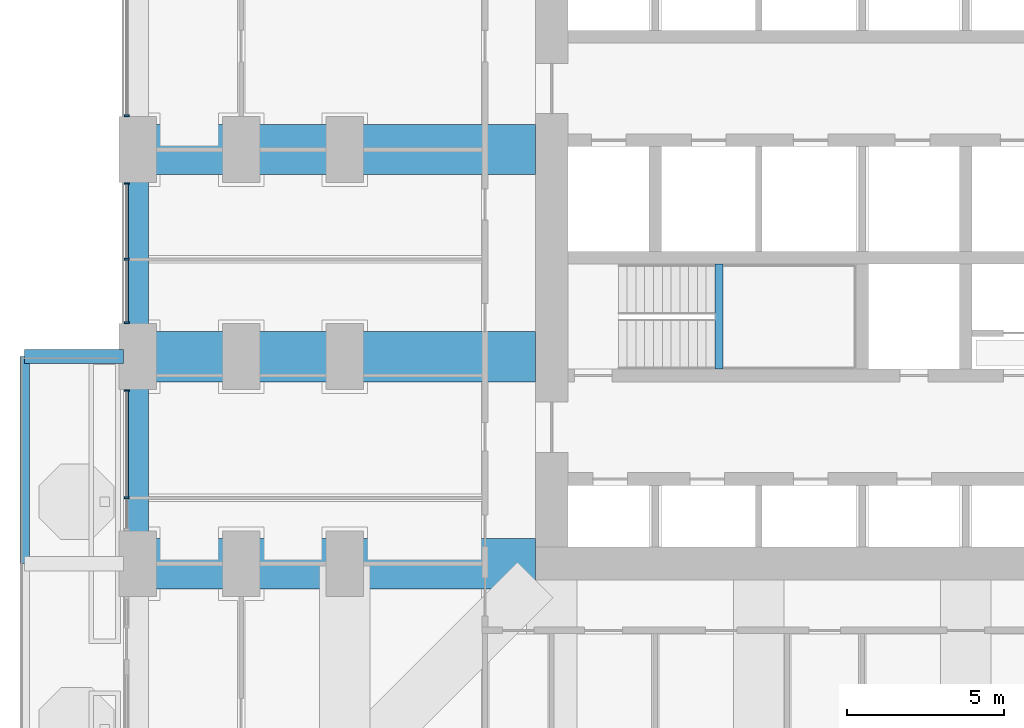
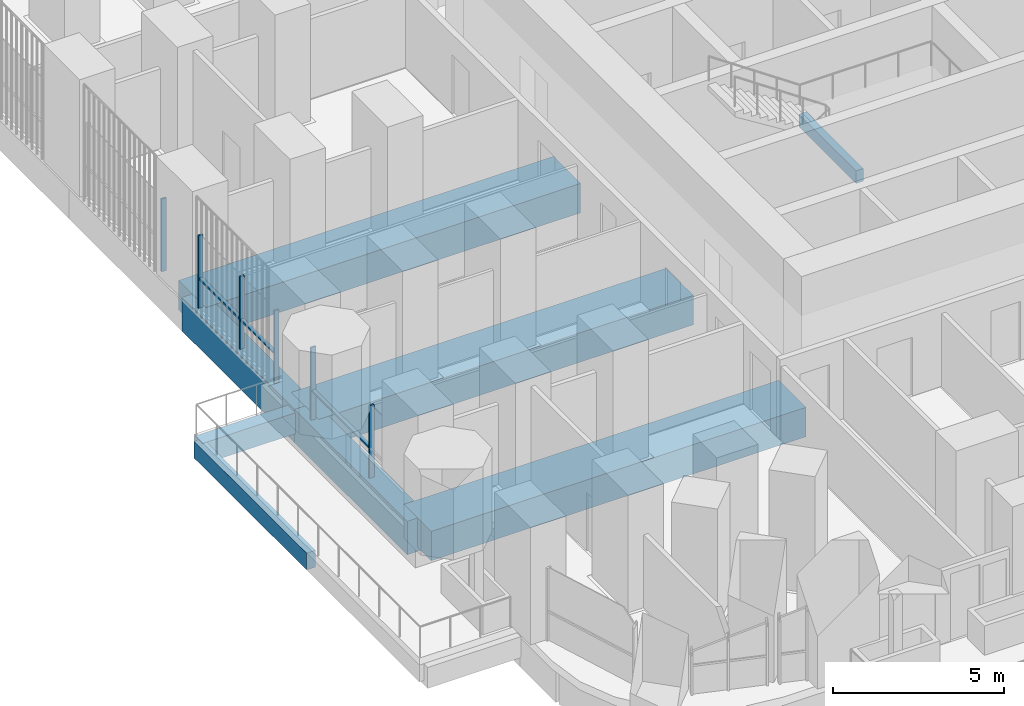
# One storey, part 4 of 27: 9 members, 8 beams, 3 elements without a shape of their own.
"""IFC4 building model written with IfcOpenShell, lengths in metres."""

from ifc_helpers import new_model, si_unit, direction, frame, origin, origin_2d, place, context, subcontext, project, spatial, rectangle, extrude, material, material_profile, profile_set, type_object, element, aggregate, save


model = new_model("IFC4")

# Units and contexts
model_context = context("Model", 3, precision=1e-05, world=origin(), true_north=direction((0.0, 1.0)))
body_context = subcontext(model_context, "Body", "Model", "MODEL_VIEW")
ifc_project = project(units=[si_unit("LENGTHUNIT", "METRE"), si_unit("AREAUNIT", "SQUARE_METRE"), si_unit("VOLUMEUNIT", "CUBIC_METRE"), si_unit("PLANEANGLEUNIT", "RADIAN"), si_unit("MASSUNIT", "GRAM", prefix="KILO")], contexts=[model_context])

# Site, building, storey
site_placement = place(None, origin())
site = spatial("IfcSite", under=ifc_project, at=site_placement, CompositionType="ELEMENT")
building_placement = place(site_placement, origin())
building = spatial("IfcBuilding", under=site, at=building_placement, Name="Cobogo Forest Laboratory Tower", CompositionType="ELEMENT")
storey_placement = place(building_placement, frame((0.0, 0.0, 63.300048828125)))
storey = spatial("IfcBuildingStorey", under=building, at=storey_placement, Name="L14", CompositionType="ELEMENT", Elevation=63.300048828125)

# Beams
ifc_material_1 = material(Name="Concrete HA-40 (C40/50)", Category="concrete")
ifc_material_profile_1 = material_profile(ifc_material_1, rectangle(XDim=0.449951171875, YDim=0.75, at=origin_2d()), Name="RC 450x750")
ifc_profile_set_1 = profile_set([ifc_material_profile_1], Name="Concrete HA-40 (C40/50)")
beam_type_1 = type_object("IfcBeamType", Name="Balcony cantilever beam 450x750", PredefinedType="BEAM", material=ifc_profile_set_1)
beam_1_placement = place(storey_placement, frame((-0.449951171875, 19.800048828125, -0.625), z_axis=(-1.0, 0.0, 0.0), x_axis=(0.0, -1.0, 0.0)))
element("IfcBeam", 1, at=beam_1_placement, inside=storey, type_object=beam_type_1, Name="CB1 BAL-W1-C3 L14", PredefinedType="BEAM", context=body_context, shape_type="SweptSolid", body=[
    extrude(rectangle(XDim=0.449951171875, YDim=0.75, at=origin_2d()), origin(), (0.0, 0.0, 1.0), 3.150146484375),
])
ifc_material_profile_2 = material_profile(ifc_material_1, rectangle(XDim=0.300048828125, YDim=0.60009765625, at=origin_2d()), Name="RC 300x600")
ifc_profile_set_2 = profile_set([ifc_material_profile_2], Name="Concrete HA-40 (C40/50)")
beam_type_2 = type_object("IfcBeamType", Name="Balcony edge beam 300x600", PredefinedType="BEAM", material=ifc_profile_set_2)
beam_2_placement = place(storey_placement, frame((-3.60009765625, 13.199951171875, -0.550048828125), z_axis=(0.0, 1.0, 0.0), x_axis=(-1.0, 0.0, 0.0)))
element("IfcBeam", 2, at=beam_2_placement, inside=storey, type_object=beam_type_2, Name="BB1 BAL-W1-T2 L14", PredefinedType="BEAM", context=body_context, shape_type="SweptSolid", body=[
    extrude(rectangle(XDim=0.300048828125, YDim=0.60009765625, at=origin_2d()), origin(), (0.0, 0.0, 1.0), 6.60009765625),
])
ifc_material_profile_3 = material_profile(ifc_material_1, rectangle(XDim=0.25, YDim=0.449951171875, at=origin_2d()), Name="RC 250x450")
ifc_profile_set_3 = profile_set([ifc_material_profile_3], Name="Concrete HA-40 (C40/50)")
beam_type_3 = type_object("IfcBeamType", Name="LB1 landing beam 250x450", PredefinedType="BEAM", material=ifc_profile_set_3)
beam_3_placement = place(storey_placement, frame((18.530029296875, 19.39990234375, 1.675048828125), z_axis=(0.0, 1.0, 0.0), x_axis=(-1.0, 0.0, 0.0)))
element("IfcBeam", 3, at=beam_3_placement, inside=storey, type_object=beam_type_3, Name="Landing beam ST1 L14", PredefinedType="BEAM", context=body_context, shape_type="SweptSolid", body=[
    extrude(rectangle(XDim=0.25, YDim=0.449951171875, at=origin_2d()), origin(), (0.0, 0.0, 1.0), 3.35009765625),
])
ifc_material_2 = material(Name="Concrete HA-50 (C50/60)", Category="concrete")
ifc_material_profile_4 = material_profile(ifc_material_2, rectangle(XDim=1.60009765625, YDim=1.050048828125, at=origin_2d()), Name="RC 1600x1050")
ifc_profile_set_4 = profile_set([ifc_material_profile_4], Name="Concrete HA-50 (C50/60)")
beam_type_4 = type_object("IfcBeamType", Name="Laboratory floor wide beam 1600x1050", PredefinedType="BEAM", material=ifc_profile_set_4)
for number, where, z_axis, x_axis, name in (
    (4, (12.675048828125, 13.199951171875, -0.824951171875), (-1.0, 0.0, 0.0), (0.0, -1.0, 0.0), "RB8 R-C-W L14"),
    (5, (12.675048828125, 19.800048828125, -0.824951171875), (-1.0, 0.0, 0.0), (0.0, -1.0, 0.0), "RB8 R-D-W L14"),
    (6, (12.675048828125, 26.39990234375, -0.824951171875), (-1.0, 0.0, 0.0), (0.0, -1.0, 0.0), "RB8 R-E-W L14"),
):
    element("IfcBeam", number, at=place(storey_placement, frame(where, z_axis=z_axis, x_axis=x_axis)), inside=storey, type_object=beam_type_4, Name=name, PredefinedType="BEAM", context=body_context, shape_type="SweptSolid", body=[
        extrude(rectangle(XDim=1.60009765625, YDim=1.050048828125, at=origin_2d()), origin(), (0.0, 0.0, 1.0), 12.675048828125),
    ])

# Curtain wall, member
ifc_material_3 = material(Name="Aluminium curtain wall", Category="aluminium")
curtain_wall_type = type_object("IfcCurtainWallType", Name="CW-1 unitised curtain wall, clear glazing, laboratory floors zones A and B", PredefinedType="USERDEFINED", material=ifc_material_3)
curtain_wall_1_placement = place(storey_placement, origin())
curtain_wall_1 = element("IfcCurtainWall", 7, at=curtain_wall_1_placement, inside=storey, type_object=curtain_wall_type, Name="Curtain wall 28 L14", ObjectType="UNITISED CURTAIN WALL", PredefinedType="USERDEFINED")
ifc_material_4 = material(Name="Aluminium mullion", Category="aluminium")
ifc_material_profile_5 = material_profile(ifc_material_4, rectangle(XDim=0.06005859375, YDim=0.159912109375, at=origin_2d()), Name="AL 60x160")
ifc_profile_set_5 = profile_set([ifc_material_profile_5], Name="Aluminium mullion")
member_type_1 = type_object("IfcMemberType", Name="MU-1 aluminium mullion 60x160", PredefinedType="MULLION", material=ifc_profile_set_5)
member_1_placement = place(storey_placement, frame((-0.35009765625, 27.47998046875, 0.0), z_axis=(0.0, 0.0, 1.0), x_axis=(0.0, -1.0, 0.0)))
member_1 = element("IfcMember", 8, at=member_1_placement, type_object=member_type_1, Name="CW-1 mullion 2", PredefinedType="MULLION", context=body_context, shape_type="SweptSolid", body=[
    extrude(rectangle(XDim=0.06005859375, YDim=0.159912109375, at=origin_2d()), origin(), (0.0, 0.0, 1.0), 2.599853515625),
])
aggregate(curtain_wall_1, [member_1])

# Curtain wall, members
curtain_wall_2_placement = place(storey_placement, origin())
curtain_wall_2 = element("IfcCurtainWall", 9, at=curtain_wall_2_placement, inside=storey, type_object=curtain_wall_type, Name="Curtain wall 29 L14", ObjectType="UNITISED CURTAIN WALL", PredefinedType="USERDEFINED")
member_2_placement = place(storey_placement, frame((-0.35009765625, 25.320068359375, 0.0), z_axis=(0.0, 0.0, 1.0), x_axis=(0.0, -1.0, 0.0)))
member_2 = element("IfcMember", 10, at=member_2_placement, type_object=member_type_1, Name="CW-1 mullion 1", PredefinedType="MULLION", context=body_context, shape_type="SweptSolid", body=[
    extrude(rectangle(XDim=0.06005859375, YDim=0.159912109375, at=origin_2d()), origin(), (0.0, 0.0, 1.0), 2.599853515625),
])
member_3_placement = place(storey_placement, frame((-0.35009765625, 22.89990234375, 0.0), z_axis=(0.0, 0.0, 1.0), x_axis=(0.0, -1.0, 0.0)))
member_3 = element("IfcMember", 11, at=member_3_placement, type_object=member_type_1, Name="CW-1 mullion 2", PredefinedType="MULLION", context=body_context, shape_type="SweptSolid", body=[
    extrude(rectangle(XDim=0.06005859375, YDim=0.159912109375, at=origin_2d()), origin(), (0.0, 0.0, 1.0), 2.599853515625),
])
member_4_placement = place(storey_placement, frame((-0.35009765625, 20.8798828125, 0.0), z_axis=(0.0, 0.0, 1.0), x_axis=(0.0, -1.0, 0.0)))
member_4 = element("IfcMember", 12, at=member_4_placement, type_object=member_type_1, Name="CW-1 mullion 3", PredefinedType="MULLION", context=body_context, shape_type="SweptSolid", body=[
    extrude(rectangle(XDim=0.06005859375, YDim=0.159912109375, at=origin_2d()), origin(), (0.0, 0.0, 1.0), 2.599853515625),
])

curtain_wall_3_placement = place(storey_placement, origin())
curtain_wall_3 = element("IfcCurtainWall", 13, at=curtain_wall_3_placement, inside=storey, type_object=curtain_wall_type, Name="Curtain wall 30 L14", ObjectType="UNITISED CURTAIN WALL", PredefinedType="USERDEFINED")
member_5_placement = place(storey_placement, frame((-0.35009765625, 18.719970703125, 0.0), z_axis=(0.0, 0.0, 1.0), x_axis=(0.0, -1.0, 0.0)))
member_5 = element("IfcMember", 14, at=member_5_placement, type_object=member_type_1, Name="CW-1 mullion 1", PredefinedType="MULLION", context=body_context, shape_type="SweptSolid", body=[
    extrude(rectangle(XDim=0.06005859375, YDim=0.159912109375, at=origin_2d()), origin(), (0.0, 0.0, 1.0), 2.599853515625),
])
member_6_placement = place(storey_placement, frame((-0.35009765625, 15.300048828125, 0.0), z_axis=(0.0, 0.0, 1.0), x_axis=(0.0, -1.0, 0.0)))
member_6 = element("IfcMember", 15, at=member_6_placement, type_object=member_type_1, Name="CW-1 mullion 2", PredefinedType="MULLION", context=body_context, shape_type="SweptSolid", body=[
    extrude(rectangle(XDim=0.06005859375, YDim=0.159912109375, at=origin_2d()), origin(), (0.0, 0.0, 1.0), 2.599853515625),
])

# Beams
ifc_material_profile_6 = material_profile(ifc_material_1, rectangle(XDim=0.699951171875, YDim=1.199951171875, at=origin_2d()), Name="RC 700x1200")
ifc_profile_set_6 = profile_set([ifc_material_profile_6], Name="Concrete HA-40 (C40/50)")
beam_type_5 = type_object("IfcBeamType", Name="Perimeter edge beam 700x1200", PredefinedType="BEAM", material=ifc_profile_set_6)
beam_4_placement = place(storey_placement, frame((0.0, 13.199951171875, -0.900146484375), z_axis=(0.0, 1.0, 0.0), x_axis=(-1.0, 0.0, 0.0)))
element("IfcBeam", 16, at=beam_4_placement, inside=storey, type_object=beam_type_5, Name="EB1 E-W2 L14", PredefinedType="BEAM", context=body_context, shape_type="SweptSolid", body=[
    extrude(rectangle(XDim=0.699951171875, YDim=1.199951171875, at=origin_2d()), origin(), (0.0, 0.0, 1.0), 6.60009765625),
])
beam_5_placement = place(storey_placement, frame((0.0, 19.800048828125, -0.900146484375), z_axis=(0.0, 1.0, 0.0), x_axis=(-1.0, 0.0, 0.0)))
element("IfcBeam", 17, at=beam_5_placement, inside=storey, type_object=beam_type_5, Name="EB1 E-W3 L14", PredefinedType="BEAM", context=body_context, shape_type="SweptSolid", body=[
    extrude(rectangle(XDim=0.699951171875, YDim=1.199951171875, at=origin_2d()), origin(), (0.0, 0.0, 1.0), 6.599853515625),
])

# Member
ifc_material_5 = material(Name="Aluminium transom", Category="aluminium")
ifc_material_profile_7 = material_profile(ifc_material_5, rectangle(XDim=0.1201171875, YDim=0.06005859375, at=origin_2d()), Name="AL 60x120")
ifc_profile_set_7 = profile_set([ifc_material_profile_7], Name="Aluminium transom")
member_type_2 = type_object("IfcMemberType", Name="TR-1 aluminium transom 60x120", PredefinedType="USERDEFINED", material=ifc_profile_set_7)
member_7_placement = place(storey_placement, frame((-0.35009765625, 25.2900390625, 1.050048828125), z_axis=(0.0, -1.0, 0.0), x_axis=(1.0, 0.0, 0.0)))
member_7 = element("IfcMember", 18, at=member_7_placement, type_object=member_type_2, Name="CW-1 transom 1.1", ObjectType="TRANSOM", PredefinedType="USERDEFINED", context=body_context, shape_type="SweptSolid", body=[
    extrude(rectangle(XDim=0.1201171875, YDim=0.06005859375, at=origin_2d()), origin(), (0.0, 0.0, 1.0), 2.360107421875),
])

member_8_placement = place(storey_placement, frame((-0.35009765625, 22.8701171875, 1.050048828125), z_axis=(0.0, -1.0, 0.0), x_axis=(1.0, 0.0, 0.0)))
member_8 = element("IfcMember", 19, at=member_8_placement, type_object=member_type_2, Name="CW-1 transom 2.1", ObjectType="TRANSOM", PredefinedType="USERDEFINED", context=body_context, shape_type="SweptSolid", body=[
    extrude(rectangle(XDim=0.1201171875, YDim=0.06005859375, at=origin_2d()), origin(), (0.0, 0.0, 1.0), 1.960205078125),
])

aggregate(curtain_wall_2, [member_2, member_3, member_4, member_7, member_8])

member_9_placement = place(storey_placement, frame((-0.35009765625, 18.68994140625, 1.050048828125), z_axis=(0.0, -1.0, 0.0), x_axis=(1.0, 0.0, 0.0)))
member_9 = element("IfcMember", 20, at=member_9_placement, type_object=member_type_2, Name="CW-1 transom 1.1", ObjectType="TRANSOM", PredefinedType="USERDEFINED", context=body_context, shape_type="SweptSolid", body=[
    extrude(rectangle(XDim=0.1201171875, YDim=0.06005859375, at=origin_2d()), origin(), (0.0, 0.0, 1.0), 3.35986328125),
])

aggregate(curtain_wall_3, [member_5, member_6, member_9])

save(model, "model.ifc")
